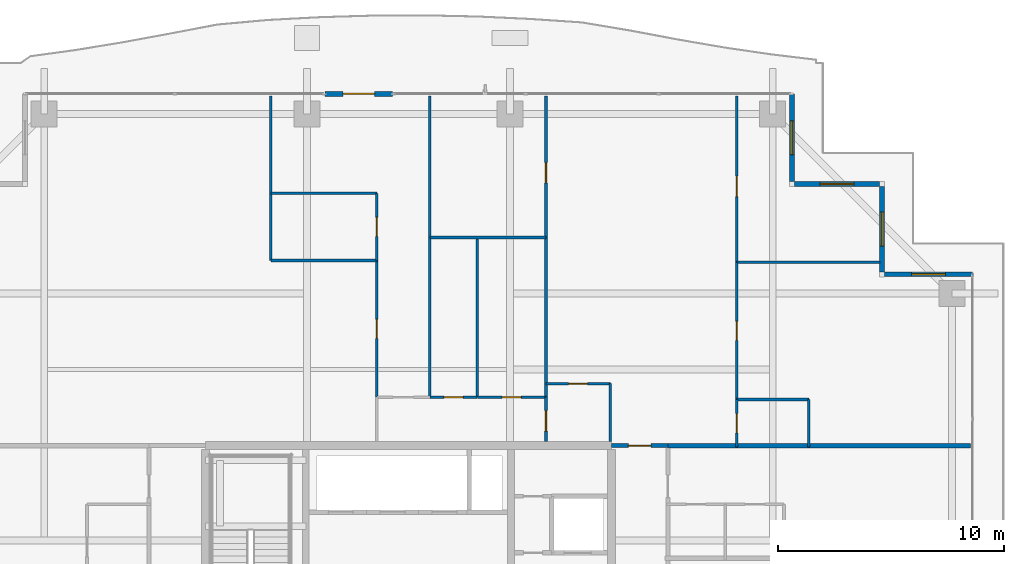
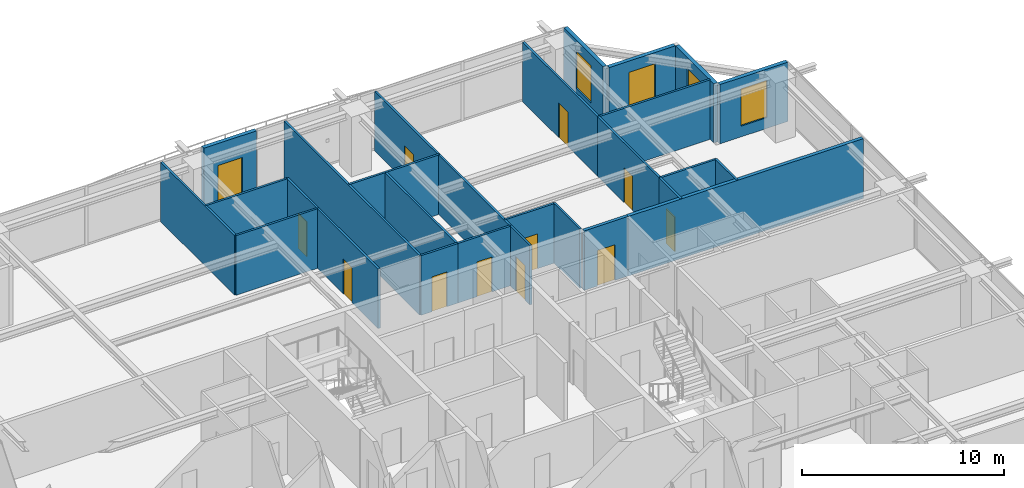
# One storey, part 31 of 40: 28 walls, 12 doors, 4 windows, 16 openings.
"""IFC4 building model written with IfcOpenShell, lengths in metres."""

from ifc_helpers import new_model, si_unit, direction, frame, frame_2d, origin, place, context, subcontext, project, spatial, rectangle, extrude, source, transform, mapped, material, layer, layer_set, type_object, element, fill, save


model = new_model("IFC4")

# Units and contexts
model_context = context("Model", 3, precision=1e-05, world=origin(), true_north=direction((0.0, 1.0)))
body_context = subcontext(model_context, "Body", "Model", "MODEL_VIEW")
ifc_project = project(units=[si_unit("LENGTHUNIT", "METRE"), si_unit("AREAUNIT", "SQUARE_METRE"), si_unit("VOLUMEUNIT", "CUBIC_METRE"), si_unit("PLANEANGLEUNIT", "RADIAN"), si_unit("MASSUNIT", "GRAM", prefix="KILO")], contexts=[model_context])

# Site, building, storey
site_placement = place(None, origin())
site = spatial("IfcSite", under=ifc_project, at=site_placement, CompositionType="ELEMENT")
building_placement = place(site_placement, origin())
building = spatial("IfcBuilding", under=site, at=building_placement, Name="Serunith Strait Residences", CompositionType="ELEMENT")
storey_placement = place(building_placement, frame((0.0, 0.0, 252.800048828125)))
storey = spatial("IfcBuildingStorey", under=building, at=storey_placement, Name="L63", CompositionType="ELEMENT", Elevation=252.800048828125)

# Wall, opening, window
ifc_material_1 = material(Name="Pale-Champagne Aluminium Insulated Panel", Category="aluminium")
ifc_layer_1 = layer(ifc_material_1, 0.219970703125, Name="Pale-Champagne Aluminium Insulated Panel")
ifc_layer_set_1 = layer_set([ifc_layer_1], Name="Pale-Champagne Aluminium Insulated Panel")
wall_type_1 = type_object("IfcWallType", Name="EW-ALUM-220", PredefinedType="ELEMENTEDWALL", material=ifc_layer_set_1)
wall_1_placement = place(storey_placement, frame((57.39990234375, 41.199951171875, 0.0), z_axis=(0.0, 0.0, 1.0), x_axis=(-1.0, 0.0, 0.0)))
wall_1 = element("IfcWall", 1, at=wall_1_placement, inside=storey, type_object=wall_type_1, Name="L63 Girih Serrated Corner Wall 07", PredefinedType="ELEMENTEDWALL", context=body_context, shape_type="SweptSolid", body=[
    extrude(rectangle(XDim=3.889892578125, YDim=0.219970703125, at=frame_2d((1.94482421875, 0.0))), origin(), (0.0, 0.0, 1.0), 3.574951171875),
])
opening_1_placement = place(wall_1_placement, frame((1.195068359375, 0.0, 0.64990234375)))
opening_1 = element("IfcOpeningElement", 2, at=opening_1_placement, cuts=wall_1, Name="Opening W-05", PredefinedType="OPENING", context=body_context, shape_type="SweptSolid", body=[
    extrude(rectangle(XDim=1.5, YDim=2.25, at=frame_2d((0.75, 1.125))), frame((0.0, 0.1201171875, 0.0), z_axis=(0.0, -1.0, 0.0), x_axis=(1.0, 0.0, 0.0)), (0.0, 0.0, 1.0), 0.239990234375),
])
ifc_material_2 = material(Name="Ceramic-Fritted Operable Aluminium Window Glass", Category="aluminium")
window_type = type_object("IfcWindowType", Name="WIN-C5", PartitioningType="DOUBLE_PANEL_VERTICAL", PredefinedType="WINDOW", material=ifc_material_2)
shared_shape_1 = source(origin(), body_context, "Body", "SweptSolid", [
    extrude(rectangle(XDim=1.5, YDim=2.25, at=frame_2d((0.75, 1.125))), frame((0.0, 0.030029296875, 0.0), z_axis=(0.0, -1.0, 0.0), x_axis=(1.0, 0.0, 0.0)), (0.0, 0.0, 1.0), 0.06005859375),
])
window_1_placement = place(opening_1_placement, origin())
window_1 = element("IfcWindow", 3, at=window_1_placement, inside=storey, type_object=window_type, Name="L63 Corner Operable Fritted Window 07", OverallHeight=2.25, OverallWidth=1.5, PartitioningType="SINGLE_PANEL", PredefinedType="WINDOW", context=body_context, shape_type="MappedRepresentation", body=[
    mapped(shared_shape_1, transform((0.0, 0.0, 0.0), scale=1.0)),
])
fill(opening_1, window_1)

wall_2_placement = place(storey_placement, frame((53.39990234375, 41.31005859375, 0.0), z_axis=(0.0, 0.0, 1.0), x_axis=(0.0, 1.0, 0.0)))
wall_2 = element("IfcWall", 4, at=wall_2_placement, inside=storey, type_object=wall_type_1, Name="L63 Girih Serrated Corner Wall 08", PredefinedType="ELEMENTEDWALL", context=body_context, shape_type="SweptSolid", body=[
    extrude(rectangle(XDim=3.780029296875, YDim=0.219970703125, at=frame_2d((1.89013671875, 0.0))), origin(), (0.0, 0.0, 1.0), 3.574951171875),
])
opening_2_placement = place(wall_2_placement, frame((1.139892578125, 0.0, 0.64990234375)))
opening_2 = element("IfcOpeningElement", 5, at=opening_2_placement, cuts=wall_2, Name="Opening W-05", PredefinedType="OPENING", context=body_context, shape_type="SweptSolid", body=[
    extrude(rectangle(XDim=1.5, YDim=2.25, at=frame_2d((0.75, 1.125))), frame((0.0, 0.1201171875, 0.0), z_axis=(0.0, -1.0, 0.0), x_axis=(1.0, 0.0, 0.0)), (0.0, 0.0, 1.0), 0.239990234375),
])
window_2_placement = place(opening_2_placement, origin())
window_2 = element("IfcWindow", 6, at=window_2_placement, inside=storey, type_object=window_type, Name="L63 Corner Operable Fritted Window 08", OverallHeight=2.25, OverallWidth=1.5, PartitioningType="SINGLE_PANEL", PredefinedType="WINDOW", context=body_context, shape_type="MappedRepresentation", body=[
    mapped(shared_shape_1, transform((0.0, 0.0, 0.0), scale=1.0)),
])
fill(opening_2, window_2)

wall_3_placement = place(storey_placement, frame((53.2900390625, 45.199951171875, 0.0), z_axis=(0.0, 0.0, 1.0), x_axis=(-1.0, 0.0, 0.0)))
wall_3 = element("IfcWall", 7, at=wall_3_placement, inside=storey, type_object=wall_type_1, Name="L63 Girih Serrated Corner Wall 09", PredefinedType="ELEMENTEDWALL", context=body_context, shape_type="SweptSolid", body=[
    extrude(rectangle(XDim=3.780029296875, YDim=0.219970703125, at=frame_2d((1.89013671875, 0.0))), origin(), (0.0, 0.0, 1.0), 3.574951171875),
])
opening_3_placement = place(wall_3_placement, frame((1.139892578125, 0.0, 0.64990234375)))
opening_3 = element("IfcOpeningElement", 8, at=opening_3_placement, cuts=wall_3, Name="Opening W-05", PredefinedType="OPENING", context=body_context, shape_type="SweptSolid", body=[
    extrude(rectangle(XDim=1.5, YDim=2.25, at=frame_2d((0.75, 1.125))), frame((0.0, 0.1201171875, 0.0), z_axis=(0.0, -1.0, 0.0), x_axis=(1.0, 0.0, 0.0)), (0.0, 0.0, 1.0), 0.239990234375),
])
window_3_placement = place(opening_3_placement, origin())
window_3 = element("IfcWindow", 9, at=window_3_placement, inside=storey, type_object=window_type, Name="L63 Corner Operable Fritted Window 09", OverallHeight=2.25, OverallWidth=1.5, PartitioningType="SINGLE_PANEL", PredefinedType="WINDOW", context=body_context, shape_type="MappedRepresentation", body=[
    mapped(shared_shape_1, transform((0.0, 0.0, 0.0), scale=1.0)),
])
fill(opening_3, window_3)

wall_4_placement = place(storey_placement, frame((49.39990234375, 45.31005859375, 0.0), z_axis=(0.0, 0.0, 1.0), x_axis=(0.0, 1.0, 0.0)))
wall_4 = element("IfcWall", 10, at=wall_4_placement, inside=storey, type_object=wall_type_1, Name="L63 Girih Serrated Corner Wall 10", PredefinedType="ELEMENTEDWALL", context=body_context, shape_type="SweptSolid", body=[
    extrude(rectangle(XDim=3.889892578125, YDim=0.219970703125, at=frame_2d((1.94482421875, 0.0))), origin(), (0.0, 0.0, 1.0), 3.574951171875),
])
opening_4_placement = place(wall_4_placement, frame((1.195068359375, 0.0, 0.64990234375)))
opening_4 = element("IfcOpeningElement", 11, at=opening_4_placement, cuts=wall_4, Name="Opening W-05", PredefinedType="OPENING", context=body_context, shape_type="SweptSolid", body=[
    extrude(rectangle(XDim=1.5, YDim=2.25, at=frame_2d((0.75, 1.125))), frame((0.0, 0.1201171875, 0.0), z_axis=(0.0, -1.0, 0.0), x_axis=(1.0, 0.0, 0.0)), (0.0, 0.0, 1.0), 0.239990234375),
])
window_4_placement = place(opening_4_placement, origin())
window_4 = element("IfcWindow", 12, at=window_4_placement, inside=storey, type_object=window_type, Name="L63 Corner Operable Fritted Window 10", OverallHeight=2.25, OverallWidth=1.5, PartitioningType="SINGLE_PANEL", PredefinedType="WINDOW", context=body_context, shape_type="MappedRepresentation", body=[
    mapped(shared_shape_1, transform((0.0, 0.0, 0.0), scale=1.0)),
])
fill(opening_4, window_4)

# Wall, opening, door
wall_5_placement = place(storey_placement, frame((31.699951171875, 49.199951171875, 0.0), z_axis=(0.0, 0.0, 1.0), x_axis=(-1.0, 0.0, 0.0)))
wall_5 = element("IfcWall", 13, at=wall_5_placement, inside=storey, type_object=wall_type_1, Name="L63 N Facade Pier Wall", PredefinedType="ELEMENTEDWALL", context=body_context, shape_type="SweptSolid", body=[
    extrude(rectangle(XDim=3.0, YDim=0.219970703125, at=frame_2d((1.5, 0.0))), origin(), (0.0, 0.0, 1.0), 3.574951171875),
])
opening_5_placement = place(wall_5_placement, frame((0.800048828125, 0.0, 0.0)))
opening_5 = element("IfcOpeningElement", 14, at=opening_5_placement, cuts=wall_5, Name="Opening ED-04", PredefinedType="OPENING", context=body_context, shape_type="SweptSolid", body=[
    extrude(rectangle(XDim=1.39990234375, YDim=2.25, at=frame_2d((0.699951171875, 1.125))), frame((0.0, 0.1201171875, 0.0), z_axis=(0.0, -1.0, 0.0), x_axis=(1.0, 0.0, 0.0)), (0.0, 0.0, 1.0), 0.239990234375),
])
ifc_material_3 = material(Name="Thermally-Broken Aluminium Sliding Balcony Door", Category="aluminium")
door_type_1 = type_object("IfcDoorType", Name="ED-BALC-1400", OperationType="NOTDEFINED", PredefinedType="DOOR", material=ifc_material_3)
shared_shape_2 = source(origin(), body_context, "Body", "SweptSolid", [
    extrude(rectangle(XDim=1.39990234375, YDim=2.25, at=frame_2d((0.699951171875, 1.125))), frame((0.0, 0.02490234375, 0.0), z_axis=(0.0, -1.0, 0.0), x_axis=(1.0, 0.0, 0.0)), (0.0, 0.0, 1.0), 0.050048828125),
])
door_1_placement = place(opening_5_placement, origin())
door_1 = element("IfcDoor", 15, at=door_1_placement, inside=storey, type_object=door_type_1, Name="L63 N Vertical-Forest Balcony Door", OperationType="SLIDING_TO_LEFT", OverallHeight=2.25, OverallWidth=1.39990234375, PredefinedType="DOOR", context=body_context, shape_type="MappedRepresentation", body=[
    mapped(shared_shape_2, transform((0.0, 0.0, 0.0), scale=1.0)),
])
fill(opening_5, door_1)

ifc_material_4 = material(Name="Fire-rated acoustic gypsum partition")
ifc_layer_2 = layer(ifc_material_4, 0.179931640625, Name="Fire-rated acoustic gypsum partition")
ifc_layer_set_2 = layer_set([ifc_layer_2], Name="Fire-rated acoustic gypsum partition")
wall_type_2 = type_object("IfcWallType", Name="IW-CORR-180", PredefinedType="PARTITIONING", material=ifc_layer_set_2)
wall_6_placement = place(storey_placement, frame((41.402099609375, 33.60009765625, 0.0), z_axis=(0.0, 0.0, 1.0), x_axis=(1.0, 0.0, 0.0)))
wall_6 = element("IfcWall", 16, at=wall_6_placement, inside=storey, type_object=wall_type_2, Name="L63 Partition Wall 031", PredefinedType="PARTITIONING", context=body_context, shape_type="SweptSolid", body=[
    extrude(rectangle(XDim=2.495849609375, YDim=0.179931640625, at=frame_2d((1.248046875, 0.0))), origin(), (0.0, 0.0, 1.0), 3.58984375),
])
opening_6_placement = place(wall_6_placement, frame((0.748046875, 0.0, 0.0)))
opening_6 = element("IfcOpeningElement", 17, at=opening_6_placement, cuts=wall_6, Name="Opening D-APT1000", PredefinedType="OPENING", context=body_context, shape_type="SweptSolid", body=[
    extrude(rectangle(XDim=1.0, YDim=2.14990234375, at=frame_2d((0.5, 1.074951171875))), frame((0.0, 0.10009765625, 0.0), z_axis=(0.0, -1.0, 0.0), x_axis=(1.0, 0.0, 0.0)), (0.0, 0.0, 1.0), 0.199951171875),
])
ifc_material_5 = material(Name="Solid timber engineered fire door", Category="wood")
door_type_2 = type_object("IfcDoorType", Name="ID-APT-1000", OperationType="NOTDEFINED", PredefinedType="DOOR", material=ifc_material_5)
shared_shape_3 = source(origin(), body_context, "Body", "SweptSolid", [
    extrude(rectangle(XDim=1.0, YDim=2.14990234375, at=frame_2d((0.5, 1.074951171875))), frame((0.0, 0.02490234375, 0.0), z_axis=(0.0, -1.0, 0.0), x_axis=(1.0, 0.0, 0.0)), (0.0, 0.0, 1.0), 0.050048828125),
])
door_2_placement = place(opening_6_placement, origin())
door_2 = element("IfcDoor", 18, at=door_2_placement, inside=storey, type_object=door_type_2, Name="L63 Unit 03 Entrance Door", OperationType="SINGLE_SWING_RIGHT", OverallHeight=2.14990234375, OverallWidth=1.0, PredefinedType="DOOR", context=body_context, shape_type="MappedRepresentation", body=[
    mapped(shared_shape_3, transform((0.0, 0.0, 0.0), scale=1.0)),
])
fill(opening_6, door_2)

ifc_material_6 = material(Name="Lightweight steel-stud gypsum partition", Category="steel")
ifc_layer_3 = layer(ifc_material_6, 0.1201171875, Name="Lightweight steel-stud gypsum partition")
ifc_layer_set_3 = layer_set([ifc_layer_3], Name="Lightweight steel-stud gypsum partition")
wall_type_3 = type_object("IfcWallType", Name="IW-PART-120", PredefinedType="PARTITIONING", material=ifc_layer_set_3)
wall_7_placement = place(storey_placement, frame((38.5, 36.35009765625, 0.0), z_axis=(0.0, 0.0, 1.0), x_axis=(1.0, 0.0, 0.0)))
wall_7 = element("IfcWall", 19, at=wall_7_placement, inside=storey, type_object=wall_type_3, Name="L63 Partition Wall 068", PredefinedType="PARTITIONING", context=body_context, shape_type="SweptSolid", body=[
    extrude(rectangle(XDim=2.85009765625, YDim=0.1201171875, at=frame_2d((1.425048828125, 0.0))), origin(), (0.0, 0.0, 1.0), 3.58984375),
])
opening_7_placement = place(wall_7_placement, frame((1.0, 0.0, 0.0)))
opening_7 = element("IfcOpeningElement", 20, at=opening_7_placement, cuts=wall_7, Name="Opening D-RM850", PredefinedType="OPENING", context=body_context, shape_type="SweptSolid", body=[
    extrude(rectangle(XDim=0.85009765625, YDim=2.10009765625, at=frame_2d((0.425048828125, 1.050048828125))), frame((0.0, 0.070068359375, 0.0), z_axis=(0.0, -1.0, 0.0), x_axis=(1.0, 0.0, 0.0)), (0.0, 0.0, 1.0), 0.14013671875),
])
ifc_material_7 = material(Name="Engineered timber flush study and kitchen door", Category="wood")
door_type_3 = type_object("IfcDoorType", Name="ID-ROOM-850", OperationType="NOTDEFINED", PredefinedType="DOOR", material=ifc_material_7)
shared_shape_4 = source(origin(), body_context, "Body", "SweptSolid", [
    extrude(rectangle(XDim=0.85009765625, YDim=2.10009765625, at=frame_2d((0.425048828125, 1.050048828125))), frame((0.0, 0.02490234375, 0.0), z_axis=(0.0, -1.0, 0.0), x_axis=(1.0, 0.0, 0.0)), (0.0, 0.0, 1.0), 0.050048828125),
])
door_3_placement = place(opening_7_placement, origin())
door_3 = element("IfcDoor", 21, at=door_3_placement, inside=storey, type_object=door_type_3, Name="L63 Kitchen 6303 Door", OperationType="SINGLE_SWING_RIGHT", OverallHeight=2.10009765625, OverallWidth=0.85009765625, PredefinedType="DOOR", context=body_context, shape_type="MappedRepresentation", body=[
    mapped(shared_shape_4, transform((0.0, 0.0, 0.0), scale=1.0)),
])
fill(opening_7, door_3)

# Wall
wall_8_placement = place(storey_placement, frame((41.35009765625, 36.35009765625, 0.0), z_axis=(0.0, 0.0, 1.0), x_axis=(0.0, -1.0, 0.0)))
element("IfcWall", 22, at=wall_8_placement, inside=storey, type_object=wall_type_3, Name="L63 Partition Wall 069", PredefinedType="PARTITIONING", context=body_context, shape_type="SweptSolid", body=[
    extrude(rectangle(XDim=2.5751953125, YDim=0.1201171875, at=frame_2d((1.28759765625, 0.0))), origin(), (0.0, 0.0, 1.0), 3.58984375),
])

# Wall, opening, door
wall_9_placement = place(storey_placement, frame((38.5, 35.75, 0.0), z_axis=(0.0, 0.0, 1.0), x_axis=(0.0, -1.0, 0.0)))
wall_9 = element("IfcWall", 23, at=wall_9_placement, inside=storey, type_object=wall_type_3, Name="L63 Partition Wall 070", PredefinedType="PARTITIONING", context=body_context, shape_type="SweptSolid", body=[
    extrude(rectangle(XDim=1.97509765625, YDim=0.1201171875, at=frame_2d((0.987548828125, 0.0))), origin(), (0.0, 0.0, 1.0), 3.58984375),
])
opening_8_placement = place(wall_9_placement, frame((0.60107421875, 0.0, 0.0)))
opening_8 = element("IfcOpeningElement", 24, at=opening_8_placement, cuts=wall_9, Name="Opening D-RM900", PredefinedType="OPENING", context=body_context, shape_type="SweptSolid", body=[
    extrude(rectangle(XDim=0.89990234375, YDim=2.10009765625, at=frame_2d((0.449951171875, 1.050048828125))), frame((0.0, 0.070068359375, 0.0), z_axis=(0.0, -1.0, 0.0), x_axis=(1.0, 0.0, 0.0)), (0.0, 0.0, 1.0), 0.14013671875),
])
ifc_material_8 = material(Name="Engineered timber flush bedroom door", Category="wood")
door_type_4 = type_object("IfcDoorType", Name="ID-ROOM-900", OperationType="NOTDEFINED", PredefinedType="DOOR", material=ifc_material_8)
shared_shape_5 = source(origin(), body_context, "Body", "SweptSolid", [
    extrude(rectangle(XDim=0.89990234375, YDim=2.10009765625, at=frame_2d((0.449951171875, 1.050048828125))), frame((0.0, 0.02490234375, 0.0), z_axis=(0.0, -1.0, 0.0), x_axis=(1.0, 0.0, 0.0)), (0.0, 0.0, 1.0), 0.050048828125),
])
door_4_placement = place(opening_8_placement, origin())
door_4 = element("IfcDoor", 25, at=door_4_placement, inside=storey, type_object=door_type_4, Name="L63 Hall W 6303 Door", OperationType="SINGLE_SWING_LEFT", OverallHeight=2.10009765625, OverallWidth=0.89990234375, PredefinedType="DOOR", context=body_context, shape_type="MappedRepresentation", body=[
    mapped(shared_shape_5, transform((0.0, 0.0, 0.0), scale=1.0)),
])
fill(opening_8, door_4)

wall_10_placement = place(storey_placement, frame((38.5, 49.10498046875, 0.0), z_axis=(0.0, 0.0, 1.0), x_axis=(0.0, -1.0, 0.0)))
wall_10 = element("IfcWall", 26, at=wall_10_placement, inside=storey, type_object=wall_type_3, Name="L63 Partition Wall 071", PredefinedType="PARTITIONING", context=body_context, shape_type="SweptSolid", body=[
    extrude(rectangle(XDim=6.27490234375, YDim=0.1201171875, at=frame_2d((3.137451171875, 0.0))), origin(), (0.0, 0.0, 1.0), 3.58984375),
])
opening_9_placement = place(wall_10_placement, frame((2.9560546875, 0.0, 0.0)))
opening_9 = element("IfcOpeningElement", 27, at=opening_9_placement, cuts=wall_10, Name="Opening D-RM900", PredefinedType="OPENING", context=body_context, shape_type="SweptSolid", body=[
    extrude(rectangle(XDim=0.89990234375, YDim=2.10009765625, at=frame_2d((0.449951171875, 1.050048828125))), frame((0.0, 0.070068359375, 0.0), z_axis=(0.0, -1.0, 0.0), x_axis=(1.0, 0.0, 0.0)), (0.0, 0.0, 1.0), 0.14013671875),
])
door_5_placement = place(opening_9_placement, origin())
door_5 = element("IfcDoor", 28, at=door_5_placement, inside=storey, type_object=door_type_4, Name="L63 Formal Dining Room 1 6303 Door", OperationType="SINGLE_SWING_RIGHT", OverallHeight=2.10009765625, OverallWidth=0.89990234375, PredefinedType="DOOR", context=body_context, shape_type="MappedRepresentation", body=[
    mapped(shared_shape_5, transform((0.0, 0.0, 0.0), scale=1.0)),
])
fill(opening_9, door_5)

# Walls
wall_11_placement = place(storey_placement, frame((38.5, 42.827880859375, 0.0), z_axis=(0.0, 0.0, 1.0), x_axis=(0.0, -1.0, 0.0)))
element("IfcWall", 29, at=wall_11_placement, inside=storey, type_object=wall_type_3, Name="L63 Partition Wall 072", PredefinedType="PARTITIONING", context=body_context, shape_type="SweptSolid", body=[
    extrude(rectangle(XDim=7.075927734375, YDim=0.1201171875, at=frame_2d((3.5380859375, 0.0))), origin(), (0.0, 0.0, 1.0), 3.58984375),
])
wall_12_placement = place(storey_placement, frame((33.35009765625, 42.830078125, 0.0), z_axis=(0.0, 0.0, 1.0), x_axis=(1.0, 0.0, 0.0)))
element("IfcWall", 30, at=wall_12_placement, inside=storey, type_object=wall_type_3, Name="L63 Partition Wall 073", PredefinedType="PARTITIONING", context=body_context, shape_type="SweptSolid", body=[
    extrude(rectangle(XDim=5.14990234375, YDim=0.1201171875, at=frame_2d((2.574951171875, 0.0))), origin(), (0.0, 0.0, 1.0), 3.58984375),
])
wall_13_placement = place(storey_placement, frame((33.35009765625, 49.10498046875, 0.0), z_axis=(0.0, 0.0, 1.0), x_axis=(0.0, -1.0, 0.0)))
element("IfcWall", 31, at=wall_13_placement, inside=storey, type_object=wall_type_3, Name="L63 Partition Wall 074", PredefinedType="PARTITIONING", context=body_context, shape_type="SweptSolid", body=[
    extrude(rectangle(XDim=13.35498046875, YDim=0.1201171875, at=frame_2d((6.677490234375, 0.0))), origin(), (0.0, 0.0, 1.0), 3.58984375),
])
wall_14_placement = place(storey_placement, frame((35.449951171875, 42.830078125, 0.0), z_axis=(0.0, 0.0, 1.0), x_axis=(0.0, -1.0, 0.0)))
element("IfcWall", 32, at=wall_14_placement, inside=storey, type_object=wall_type_3, Name="L63 Partition Wall 075", PredefinedType="PARTITIONING", context=body_context, shape_type="SweptSolid", body=[
    extrude(rectangle(XDim=7.080078125, YDim=0.1201171875, at=frame_2d((3.5400390625, 0.0))), origin(), (0.0, 0.0, 1.0), 3.58984375),
])

# Wall, opening, door
wall_15_placement = place(storey_placement, frame((33.35009765625, 35.75, 0.0), z_axis=(0.0, 0.0, 1.0), x_axis=(1.0, 0.0, 0.0)))
wall_15 = element("IfcWall", 33, at=wall_15_placement, inside=storey, type_object=wall_type_3, Name="L63 Partition Wall 076", PredefinedType="PARTITIONING", context=body_context, shape_type="SweptSolid", body=[
    extrude(rectangle(XDim=2.099853515625, YDim=0.1201171875, at=frame_2d((1.0498046875, 0.0))), origin(), (0.0, 0.0, 1.0), 3.58984375),
])
opening_10_placement = place(wall_15_placement, frame((0.625, 0.0, 0.0)))
opening_10 = element("IfcOpeningElement", 34, at=opening_10_placement, cuts=wall_15, Name="Opening D-BTH850", PredefinedType="OPENING", context=body_context, shape_type="SweptSolid", body=[
    extrude(rectangle(XDim=0.85009765625, YDim=2.10009765625, at=frame_2d((0.425048828125, 1.050048828125))), frame((0.0, 0.070068359375, 0.0), z_axis=(0.0, -1.0, 0.0), x_axis=(1.0, 0.0, 0.0)), (0.0, 0.0, 1.0), 0.14013671875),
])
ifc_material_9 = material(Name="Moisture-resistant timber bathroom door", Category="wood")
door_type_5 = type_object("IfcDoorType", Name="ID-BATH-850", OperationType="NOTDEFINED", PredefinedType="DOOR", material=ifc_material_9)
door_6_placement = place(opening_10_placement, origin())
door_6 = element("IfcDoor", 35, at=door_6_placement, inside=storey, type_object=door_type_5, Name="L63 Bathroom 6303 Door", OperationType="SINGLE_SWING_LEFT", OverallHeight=2.10009765625, OverallWidth=0.85009765625, PredefinedType="DOOR", context=body_context, shape_type="MappedRepresentation", body=[
    mapped(shared_shape_4, transform((0.0, 0.0, 0.0), scale=1.0)),
])
fill(opening_10, door_6)

wall_16_placement = place(storey_placement, frame((35.451904296875, 35.75, 0.0), z_axis=(0.0, 0.0, 1.0), x_axis=(1.0, 0.0, 0.0)))
wall_16 = element("IfcWall", 36, at=wall_16_placement, inside=storey, type_object=wall_type_3, Name="L63 Partition Wall 077", PredefinedType="PARTITIONING", context=body_context, shape_type="SweptSolid", body=[
    extrude(rectangle(XDim=3.048095703125, YDim=0.1201171875, at=frame_2d((1.52392578125, 0.0))), origin(), (0.0, 0.0, 1.0), 3.58984375),
])
opening_11_placement = place(wall_16_placement, frame((1.09912109375, 0.0, 0.0)))
opening_11 = element("IfcOpeningElement", 37, at=opening_11_placement, cuts=wall_16, Name="Opening D-RM850", PredefinedType="OPENING", context=body_context, shape_type="SweptSolid", body=[
    extrude(rectangle(XDim=0.85009765625, YDim=2.10009765625, at=frame_2d((0.425048828125, 1.050048828125))), frame((0.0, 0.070068359375, 0.0), z_axis=(0.0, -1.0, 0.0), x_axis=(1.0, 0.0, 0.0)), (0.0, 0.0, 1.0), 0.14013671875),
])
door_7_placement = place(opening_11_placement, origin())
door_7 = element("IfcDoor", 38, at=door_7_placement, inside=storey, type_object=door_type_3, Name="L63 Formal Dining Room 6303 Door", OperationType="SINGLE_SWING_RIGHT", OverallHeight=2.10009765625, OverallWidth=0.85009765625, PredefinedType="DOOR", context=body_context, shape_type="MappedRepresentation", body=[
    mapped(shared_shape_4, transform((0.0, 0.0, 0.0), scale=1.0)),
])
fill(opening_11, door_7)

# Walls
wall_17_placement = place(storey_placement, frame((26.300048828125, 44.791015625, 0.0), z_axis=(0.0, 0.0, 1.0), x_axis=(1.0, 0.0, 0.0)))
element("IfcWall", 39, at=wall_17_placement, inside=storey, type_object=wall_type_3, Name="L63 Partition Wall 079", PredefinedType="PARTITIONING", context=body_context, shape_type="SweptSolid", body=[
    extrude(rectangle(XDim=4.699951171875, YDim=0.1201171875, at=frame_2d((2.35009765625, 0.0))), origin(), (0.0, 0.0, 1.0), 3.58984375),
])
wall_18_placement = place(storey_placement, frame((26.300048828125, 49.10498046875, 0.0), z_axis=(0.0, 0.0, 1.0), x_axis=(0.0, -1.0, 0.0)))
element("IfcWall", 40, at=wall_18_placement, inside=storey, type_object=wall_type_3, Name="L63 Partition Wall 080", PredefinedType="PARTITIONING", context=body_context, shape_type="SweptSolid", body=[
    extrude(rectangle(XDim=7.29296875, YDim=0.1201171875, at=frame_2d((3.646484375, 0.0))), origin(), (0.0, 0.0, 1.0), 3.58984375),
])
wall_19_placement = place(storey_placement, frame((26.300048828125, 41.81201171875, 0.0), z_axis=(0.0, 0.0, 1.0), x_axis=(1.0, 0.0, 0.0)))
element("IfcWall", 41, at=wall_19_placement, inside=storey, type_object=wall_type_3, Name="L63 Partition Wall 081", PredefinedType="PARTITIONING", context=body_context, shape_type="SweptSolid", body=[
    extrude(rectangle(XDim=4.699951171875, YDim=0.1201171875, at=frame_2d((2.35009765625, 0.0))), origin(), (0.0, 0.0, 1.0), 3.58984375),
])

# Wall, opening, door
wall_20_placement = place(storey_placement, frame((31.0, 44.791015625, 0.0), z_axis=(0.0, 0.0, 1.0), x_axis=(0.0, -1.0, 0.0)))
wall_20 = element("IfcWall", 42, at=wall_20_placement, inside=storey, type_object=wall_type_3, Name="L63 Partition Wall 082", PredefinedType="PARTITIONING", context=body_context, shape_type="SweptSolid", body=[
    extrude(rectangle(XDim=2.97900390625, YDim=0.1201171875, at=frame_2d((1.489501953125, 0.0))), origin(), (0.0, 0.0, 1.0), 3.58984375),
])
opening_12_placement = place(wall_20_placement, frame((1.06396484375, 0.0, 0.0)))
opening_12 = element("IfcOpeningElement", 43, at=opening_12_placement, cuts=wall_20, Name="Opening D-BTH850", PredefinedType="OPENING", context=body_context, shape_type="SweptSolid", body=[
    extrude(rectangle(XDim=0.85009765625, YDim=2.10009765625, at=frame_2d((0.425048828125, 1.050048828125))), frame((0.0, 0.070068359375, 0.0), z_axis=(0.0, -1.0, 0.0), x_axis=(1.0, 0.0, 0.0)), (0.0, 0.0, 1.0), 0.14013671875),
])
door_8_placement = place(opening_12_placement, origin())
door_8 = element("IfcDoor", 44, at=door_8_placement, inside=storey, type_object=door_type_5, Name="L63 En-suite Bathroom W 6303 Door", OperationType="SINGLE_SWING_RIGHT", OverallHeight=2.10009765625, OverallWidth=0.85009765625, PredefinedType="DOOR", context=body_context, shape_type="MappedRepresentation", body=[
    mapped(shared_shape_4, transform((0.0, 0.0, 0.0), scale=1.0)),
])
fill(opening_12, door_8)

wall_21_placement = place(storey_placement, frame((31.0, 41.81005859375, 0.0), z_axis=(0.0, 0.0, 1.0), x_axis=(0.0, -1.0, 0.0)))
wall_21 = element("IfcWall", 45, at=wall_21_placement, inside=storey, type_object=wall_type_3, Name="L63 Partition Wall 083", PredefinedType="PARTITIONING", context=body_context, shape_type="SweptSolid", body=[
    extrude(rectangle(XDim=6.06005859375, YDim=0.1201171875, at=frame_2d((3.030029296875, 0.0))), origin(), (0.0, 0.0, 1.0), 3.58984375),
])
opening_13_placement = place(wall_21_placement, frame((2.60498046875, 0.0, 0.0)))
opening_13 = element("IfcOpeningElement", 46, at=opening_13_placement, cuts=wall_21, Name="Opening D-RM850", PredefinedType="OPENING", context=body_context, shape_type="SweptSolid", body=[
    extrude(rectangle(XDim=0.85009765625, YDim=2.10009765625, at=frame_2d((0.425048828125, 1.050048828125))), frame((0.0, 0.070068359375, 0.0), z_axis=(0.0, -1.0, 0.0), x_axis=(1.0, 0.0, 0.0)), (0.0, 0.0, 1.0), 0.14013671875),
])
door_9_placement = place(opening_13_placement, origin())
door_9 = element("IfcDoor", 47, at=door_9_placement, inside=storey, type_object=door_type_3, Name="L63 Wardrobe W 6303 Door", OperationType="SINGLE_SWING_LEFT", OverallHeight=2.10009765625, OverallWidth=0.85009765625, PredefinedType="DOOR", context=body_context, shape_type="MappedRepresentation", body=[
    mapped(shared_shape_4, transform((0.0, 0.0, 0.0), scale=1.0)),
])
fill(opening_13, door_9)

wall_22_placement = place(storey_placement, frame((46.949951171875, 49.10498046875, 0.0), z_axis=(0.0, 0.0, 1.0), x_axis=(0.0, -1.0, 0.0)))
wall_22 = element("IfcWall", 48, at=wall_22_placement, inside=storey, type_object=wall_type_3, Name="L63 Partition Wall 085", PredefinedType="PARTITIONING", context=body_context, shape_type="SweptSolid", body=[
    extrude(rectangle(XDim=7.373046875, YDim=0.1201171875, at=frame_2d((3.6865234375, 0.0))), origin(), (0.0, 0.0, 1.0), 3.58984375),
])
opening_14_placement = place(wall_22_placement, frame((3.56005859375, 0.0, 0.0)))
opening_14 = element("IfcOpeningElement", 49, at=opening_14_placement, cuts=wall_22, Name="Opening D-RM900", PredefinedType="OPENING", context=body_context, shape_type="SweptSolid", body=[
    extrude(rectangle(XDim=0.89990234375, YDim=2.10009765625, at=frame_2d((0.449951171875, 1.050048828125))), frame((0.0, 0.070068359375, 0.0), z_axis=(0.0, -1.0, 0.0), x_axis=(1.0, 0.0, 0.0)), (0.0, 0.0, 1.0), 0.14013671875),
])
door_10_placement = place(opening_14_placement, origin())
door_10 = element("IfcDoor", 50, at=door_10_placement, inside=storey, type_object=door_type_4, Name="L63 Bedroom 3 6303 Door", OperationType="SINGLE_SWING_RIGHT", OverallHeight=2.10009765625, OverallWidth=0.89990234375, PredefinedType="DOOR", context=body_context, shape_type="MappedRepresentation", body=[
    mapped(shared_shape_5, transform((0.0, 0.0, 0.0), scale=1.0)),
])
fill(opening_14, door_10)

# Walls
wall_23_placement = place(storey_placement, frame((46.949951171875, 41.73193359375, 0.0), z_axis=(0.0, 0.0, 1.0), x_axis=(1.0, 0.0, 0.0)))
element("IfcWall", 51, at=wall_23_placement, inside=storey, type_object=wall_type_3, Name="L63 Partition Wall 086", PredefinedType="PARTITIONING", context=body_context, shape_type="SweptSolid", body=[
    extrude(rectangle(XDim=6.35498046875, YDim=0.1201171875, at=frame_2d((3.177490234375, 0.0))), origin(), (0.0, 0.0, 1.0), 3.58984375),
])
wall_24_placement = place(storey_placement, frame((46.949951171875, 35.64990234375, 0.0), z_axis=(0.0, 0.0, 1.0), x_axis=(1.0, 0.0, 0.0)))
element("IfcWall", 52, at=wall_24_placement, inside=storey, type_object=wall_type_3, Name="L63 Partition Wall 087", PredefinedType="PARTITIONING", context=body_context, shape_type="SweptSolid", body=[
    extrude(rectangle(XDim=3.199951171875, YDim=0.1201171875, at=frame_2d((1.60009765625, 0.0))), origin(), (0.0, 0.0, 1.0), 3.58984375),
])
wall_25_placement = place(storey_placement, frame((50.14990234375, 35.64990234375, 0.0), z_axis=(0.0, 0.0, 1.0), x_axis=(0.0, -1.0, 0.0)))
element("IfcWall", 53, at=wall_25_placement, inside=storey, type_object=wall_type_3, Name="L63 Partition Wall 088", PredefinedType="PARTITIONING", context=body_context, shape_type="SweptSolid", body=[
    extrude(rectangle(XDim=2.10986328125, YDim=0.1201171875, at=frame_2d((1.054931640625, 0.0))), origin(), (0.0, 0.0, 1.0), 3.58984375),
])

# Wall, opening, door
wall_26_placement = place(storey_placement, frame((46.949951171875, 41.72998046875, 0.0), z_axis=(0.0, 0.0, 1.0), x_axis=(0.0, -1.0, 0.0)))
wall_26 = element("IfcWall", 54, at=wall_26_placement, inside=storey, type_object=wall_type_3, Name="L63 Partition Wall 089", PredefinedType="PARTITIONING", context=body_context, shape_type="SweptSolid", body=[
    extrude(rectangle(XDim=6.080078125, YDim=0.1201171875, at=frame_2d((3.0400390625, 0.0))), origin(), (0.0, 0.0, 1.0), 3.58984375),
])
opening_15_placement = place(wall_26_placement, frame((2.614990234375, 0.0, 0.0)))
opening_15 = element("IfcOpeningElement", 55, at=opening_15_placement, cuts=wall_26, Name="Opening D-RM850", PredefinedType="OPENING", context=body_context, shape_type="SweptSolid", body=[
    extrude(rectangle(XDim=0.85009765625, YDim=2.10009765625, at=frame_2d((0.425048828125, 1.050048828125))), frame((0.0, 0.070068359375, 0.0), z_axis=(0.0, -1.0, 0.0), x_axis=(1.0, 0.0, 0.0)), (0.0, 0.0, 1.0), 0.14013671875),
])
door_11_placement = place(opening_15_placement, origin())
door_11 = element("IfcDoor", 56, at=door_11_placement, inside=storey, type_object=door_type_3, Name="L63 Walk-in Wardrobe 6303 Door", OperationType="SINGLE_SWING_LEFT", OverallHeight=2.10009765625, OverallWidth=0.85009765625, PredefinedType="DOOR", context=body_context, shape_type="MappedRepresentation", body=[
    mapped(shared_shape_4, transform((0.0, 0.0, 0.0), scale=1.0)),
])
fill(opening_15, door_11)

wall_27_placement = place(storey_placement, frame((46.949951171875, 35.64794921875, 0.0), z_axis=(0.0, 0.0, 1.0), x_axis=(0.0, -1.0, 0.0)))
wall_27 = element("IfcWall", 57, at=wall_27_placement, inside=storey, type_object=wall_type_3, Name="L63 Partition Wall 090", PredefinedType="PARTITIONING", context=body_context, shape_type="SweptSolid", body=[
    extrude(rectangle(XDim=2.10791015625, YDim=0.1201171875, at=frame_2d((1.053955078125, 0.0))), origin(), (0.0, 0.0, 1.0), 3.58984375),
])
opening_16_placement = place(wall_27_placement, frame((0.62890625, 0.0, 0.0)))
opening_16 = element("IfcOpeningElement", 58, at=opening_16_placement, cuts=wall_27, Name="Opening D-BTH850", PredefinedType="OPENING", context=body_context, shape_type="SweptSolid", body=[
    extrude(rectangle(XDim=0.85009765625, YDim=2.10009765625, at=frame_2d((0.425048828125, 1.050048828125))), frame((0.0, 0.070068359375, 0.0), z_axis=(0.0, -1.0, 0.0), x_axis=(1.0, 0.0, 0.0)), (0.0, 0.0, 1.0), 0.14013671875),
])
door_12_placement = place(opening_16_placement, origin())
door_12 = element("IfcDoor", 59, at=door_12_placement, inside=storey, type_object=door_type_5, Name="L63 Bathroom 6303 Door", OperationType="SINGLE_SWING_RIGHT", OverallHeight=2.10009765625, OverallWidth=0.85009765625, PredefinedType="DOOR", context=body_context, shape_type="MappedRepresentation", body=[
    mapped(shared_shape_4, transform((0.0, 0.0, 0.0), scale=1.0)),
])
fill(opening_16, door_12)

# Wall
ifc_material_10 = material(Name="Twin-stud acoustic gypsum board partition")
ifc_layer_4 = layer(ifc_material_10, 0.199951171875, Name="Twin-stud acoustic gypsum board partition")
ifc_layer_set_4 = layer_set([ifc_layer_4], Name="Twin-stud acoustic gypsum board partition")
wall_type_4 = type_object("IfcWallType", Name="IW-PARTY-200", PredefinedType="PARTITIONING", material=ifc_layer_set_4)
wall_28_placement = place(storey_placement, frame((43.89990234375, 33.60009765625, 0.0), z_axis=(0.0, 0.0, 1.0), x_axis=(1.0, 0.0, 0.0)))
element("IfcWall", 60, at=wall_28_placement, inside=storey, type_object=wall_type_4, Name="L63 Partition Wall 026", PredefinedType="PARTITIONING", context=body_context, shape_type="SweptSolid", body=[
    extrude(rectangle(XDim=13.418212890625, YDim=0.199951171875, at=frame_2d((6.708984375, 0.0))), origin(), (0.0, 0.0, 1.0), 3.58984375),
])

save(model, "model.ifc")
